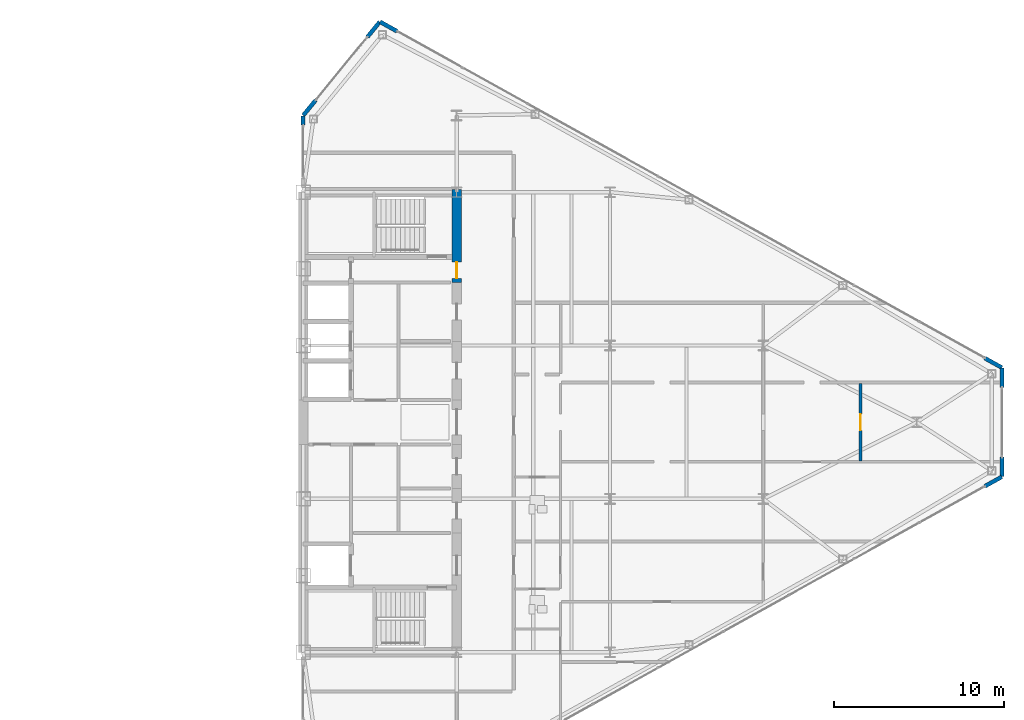
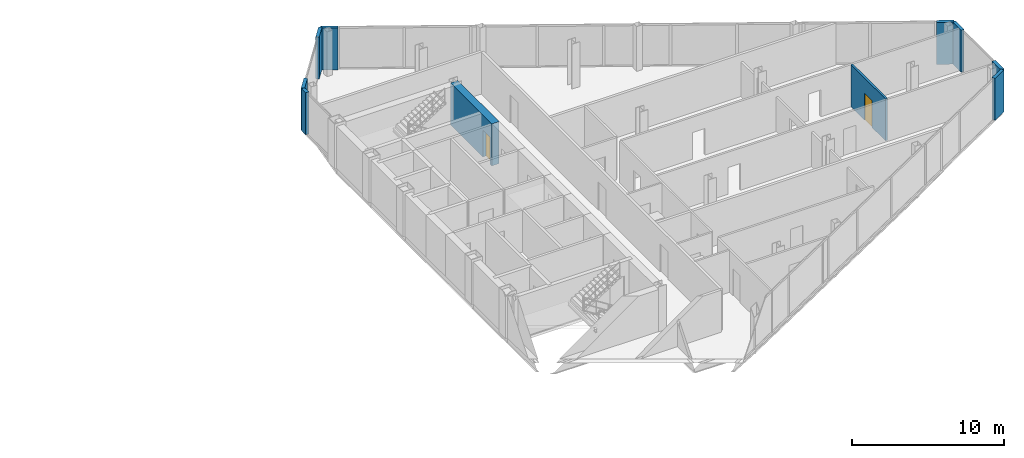
# One storey, part 23 of 26: 10 walls, 2 doors, 2 openings.
"""IFC4 building model written with IfcOpenShell, lengths in metres."""

from ifc_helpers import new_model, si_unit, direction, frame, frame_2d, origin, place, context, subcontext, project, spatial, rectangle, extrude, source, transform, mapped, material, layer, layer_set, type_object, type_shapes, element, fill, save


model = new_model("IFC4")

# Units and contexts
model_context = context("Model", 3, precision=1e-05, world=origin(), true_north=direction((0.0, 1.0)))
body_context = subcontext(model_context, "Body", "Model", "MODEL_VIEW")
ifc_project = project(units=[si_unit("LENGTHUNIT", "METRE"), si_unit("AREAUNIT", "SQUARE_METRE"), si_unit("VOLUMEUNIT", "CUBIC_METRE"), si_unit("PLANEANGLEUNIT", "RADIAN"), si_unit("MASSUNIT", "GRAM", prefix="KILO")], contexts=[model_context])

# Site, building, storey
site_placement = place(None, origin())
site = spatial("IfcSite", under=ifc_project, at=site_placement, CompositionType="ELEMENT")
building_placement = place(site_placement, origin())
building = spatial("IfcBuilding", under=site, at=building_placement, Name="Seokmaru Belvedere", CompositionType="ELEMENT")
storey_placement = place(building_placement, frame((0.0, 0.0, 167.10009765625)))
storey = spatial("IfcBuildingStorey", under=building, at=storey_placement, Name="L44", CompositionType="ELEMENT", Elevation=167.10009765625)

# Wall, opening, door
ifc_material_1 = material(Name="Fire-Rated Gypsum Shaftwall")
ifc_layer_1 = layer(ifc_material_1, 0.14990234375)
ifc_layer_set_1 = layer_set([ifc_layer_1], Name="Fire-Rated Gypsum Shaftwall")
wall_type_1 = type_object("IfcWallType", Name="Apartment Fire-Acoustic Room Partition 150", PredefinedType="PARTITIONING", material=ifc_layer_set_1)
wall_1_placement = place(storey_placement, frame((60.199951171875, -2.282958984375, 0.0), z_axis=(0.0, 0.0, 1.0), x_axis=(0.0, 1.0, 0.0)))
wall_1 = element("IfcWall", 1, at=wall_1_placement, inside=storey, type_object=wall_type_1, Name="L44 Interior Partition 032", PredefinedType="PARTITIONING", context=body_context, shape_type="SweptSolid", body=[
    extrude(rectangle(XDim=4.56591796875, YDim=0.14990234375, at=frame_2d((2.282958984375, 0.0))), origin(), (0.0, 0.0, 1.0), 3.3798828125),
])
opening_1_placement = place(wall_1_placement, frame((1.80810546875, 0.0, 0.0)))
opening_1 = element("IfcOpeningElement", 2, at=opening_1_placement, cuts=wall_1, Name="Opening D05", PredefinedType="OPENING", context=body_context, shape_type="SweptSolid", body=[
    extrude(rectangle(XDim=0.949951171875, YDim=2.14990234375, at=frame_2d((0.47509765625, 1.074951171875))), frame((0.0, 0.0849609375, 0.0), z_axis=(0.0, -1.0, 0.0), x_axis=(1.0, 0.0, 0.0)), (0.0, 0.0, 1.0), 0.169921875),
])
ifc_material_2 = material(Name="Engineered White Oak Timber", Category="wood")
door_type_1 = type_object("IfcDoorType", Name="Apartment Interior Fire-Rated Oak Door 950x2150", OperationType="NOTDEFINED", PredefinedType="DOOR", material=ifc_material_2)
shared_shape_1 = source(origin(), body_context, "Body", "SweptSolid", [
    extrude(rectangle(XDim=0.949951171875, YDim=2.14990234375, at=frame_2d((0.47509765625, 1.074951171875))), frame((0.0, 0.02490234375, 0.0), z_axis=(0.0, -1.0, 0.0), x_axis=(1.0, 0.0, 0.0)), (0.0, 0.0, 1.0), 0.050048828125),
])
type_shapes(door_type_1, [shared_shape_1])
door_1_placement = place(opening_1_placement, origin())
door_1 = element("IfcDoor", 3, at=door_1_placement, inside=storey, type_object=door_type_1, Name="L44 Interior Door 030", OperationType="SINGLE_SWING_LEFT", OverallHeight=2.14990234375, OverallWidth=0.949951171875, PredefinedType="DOOR", context=body_context, shape_type="MappedRepresentation", body=[
    mapped(shared_shape_1, transform((0.0, 0.0, 0.0), scale=1.0)),
])
fill(opening_1, door_1)

ifc_material_3 = material(Name="Concrete C50 (50 MPa)", Category="concrete")
ifc_layer_2 = layer(ifc_material_3, 0.550048828125)
ifc_layer_set_2 = layer_set([ifc_layer_2], Name="Concrete C50 (50 MPa)")
wall_type_2 = type_object("IfcWallType", Name="Mid-High Reinforced Concrete Core Wall 550", PredefinedType="SHEAR", material=ifc_layer_set_2)
wall_2_placement = place(storey_placement, frame((36.5, 8.199951171875, 0.0), z_axis=(0.0, 0.0, 1.0), x_axis=(0.0, 1.0, 0.0)))
wall_2 = element("IfcWall", 4, at=wall_2_placement, inside=storey, type_object=wall_type_2, Name="L44 East West Core Wall VST", PredefinedType="SHEAR", context=body_context, shape_type="SweptSolid", body=[
    extrude(rectangle(XDim=5.449951171875, YDim=0.550048828125, at=frame_2d((2.72509765625, 0.0))), origin(), (0.0, 0.0, 1.0), 3.3798828125),
])
opening_2_placement = place(wall_2_placement, frame((0.2451171875, 0.0, 0.0)))
opening_2 = element("IfcOpeningElement", 5, at=opening_2_placement, cuts=wall_2, Name="Opening D04", PredefinedType="OPENING", context=body_context, shape_type="SweptSolid", body=[
    extrude(rectangle(XDim=0.949951171875, YDim=2.14990234375, at=frame_2d((0.47509765625, 1.074951171875))), frame((0.0, 0.28515625, 0.0), z_axis=(0.0, -1.0, 0.0), x_axis=(1.0, 0.0, 0.0)), (0.0, 0.0, 1.0), 0.570068359375),
])
ifc_material_4 = material(Name="Fire-Rated Steel Leaf", Category="steel")
door_type_2 = type_object("IfcDoorType", Name="Core Service Room Fire Door 950x2150", OperationType="NOTDEFINED", PredefinedType="DOOR", material=ifc_material_4)
shared_shape_2 = source(origin(), body_context, "Body", "SweptSolid", [
    extrude(rectangle(XDim=0.949951171875, YDim=2.14990234375, at=frame_2d((0.47509765625, 1.074951171875))), frame((0.0, 0.02490234375, 0.0), z_axis=(0.0, -1.0, 0.0), x_axis=(1.0, 0.0, 0.0)), (0.0, 0.0, 1.0), 0.050048828125),
])
type_shapes(door_type_2, [shared_shape_2])
door_2_placement = place(opening_2_placement, origin())
door_2 = element("IfcDoor", 6, at=door_2_placement, inside=storey, type_object=door_type_2, Name="L44 East Smokeproof Vestibule Door", OperationType="SINGLE_SWING_LEFT", OverallHeight=2.14990234375, OverallWidth=0.949951171875, PredefinedType="DOOR", context=body_context, shape_type="MappedRepresentation", body=[
    mapped(shared_shape_2, transform((0.0, 0.0, 0.0), scale=1.0)),
])
fill(opening_2, door_2)

# Walls
ifc_material_5 = material(Name="Anodised Bronze Aluminium", Category="aluminium")
ifc_layer_3 = layer(ifc_material_5, 0.239990234375)
ifc_layer_set_3 = layer_set([ifc_layer_3], Name="Anodised Bronze Aluminium")
wall_type_3 = type_object("IfcWallType", Name="Tower Corner Spandrel Closure Wall 240", PredefinedType="SOLIDWALL", material=ifc_layer_set_3)
for number, where, z_axis, x_axis, name in (
    (7, (67.4951171875, -3.759033203125, 0.0), (0.0, 0.0, 1.0), (0.87385402111, 0.486188389196, 0.0), "L44 E Corner Closure Pier 1B"),
    (8, (68.5, -3.18994140625, 0.0), (0.0, 0.0, 1.0), (0.0, 1.0, 0.0), "L44 E Corner Closure Pier 2A"),
    (9, (68.5, 2.050048828125, 0.0), (0.0, 0.0, 1.0), (0.0, 1.0, 0.0), "L44 E Corner Closure Pier 2B"),
    (10, (68.4912109375, 3.204833984375, 0.0), (0.0, 0.0, 1.0), (-0.87385402111, 0.486188389196, 0.0), "L44 E Corner Closure Pier 3A"),
    (11, (33.0048828125, 22.94091796875, 0.0), (0.0, 0.0, 1.0), (-0.87385402111, 0.486188389196, 0.0), "L44 E Corner Closure Pier 3B"),
):
    element("IfcWall", number, at=place(storey_placement, frame(where, z_axis=z_axis, x_axis=x_axis)), inside=storey, type_object=wall_type_3, Name=name, PredefinedType="SOLIDWALL", context=body_context, shape_type="SweptSolid", body=[
        extrude(rectangle(XDim=1.139892578125, YDim=0.239990234375, at=frame_2d((0.56982421875, 0.0))), origin(), (0.0, 0.0, 1.0), 3.3798828125),
    ])
for number, where, z_axis, x_axis, name in (
    (12, (31.99365234375, 23.4921875, 0.0), (0.0, 0.0, 1.0), (-0.633249451965, -0.77394775766, 0.0), "L44 E Corner Closure Pier 4A"),
    (13, (28.228271484375, 18.89013671875, 0.0), (0.0, 0.0, 1.0), (-0.633249451965, -0.77394775766, 0.0), "L44 E Corner Closure Pier 4B"),
):
    element("IfcWall", number, at=place(storey_placement, frame(where, z_axis=z_axis, x_axis=x_axis)), inside=storey, type_object=wall_type_3, Name=name, PredefinedType="SOLIDWALL", context=body_context, shape_type="SweptSolid", body=[
        extrude(rectangle(XDim=1.14013671875, YDim=0.239990234375, at=frame_2d((0.570068359375, 0.0))), origin(), (0.0, 0.0, 1.0), 3.3798828125),
    ])
wall_3_placement = place(storey_placement, frame((27.5, 17.429931640625, 0.0), z_axis=(0.0, 0.0, 1.0), x_axis=(0.0, 1.0, 0.0)))
element("IfcWall", 14, at=wall_3_placement, inside=storey, type_object=wall_type_3, Name="L44 E Spine Closure Pier 2B", PredefinedType="SOLIDWALL", context=body_context, shape_type="SweptSolid", body=[
    extrude(rectangle(XDim=0.550048828125, YDim=0.239990234375, at=frame_2d((0.27490234375, 0.0))), origin(), (0.0, 0.0, 1.0), 3.3798828125),
])

save(model, "model.ifc")
